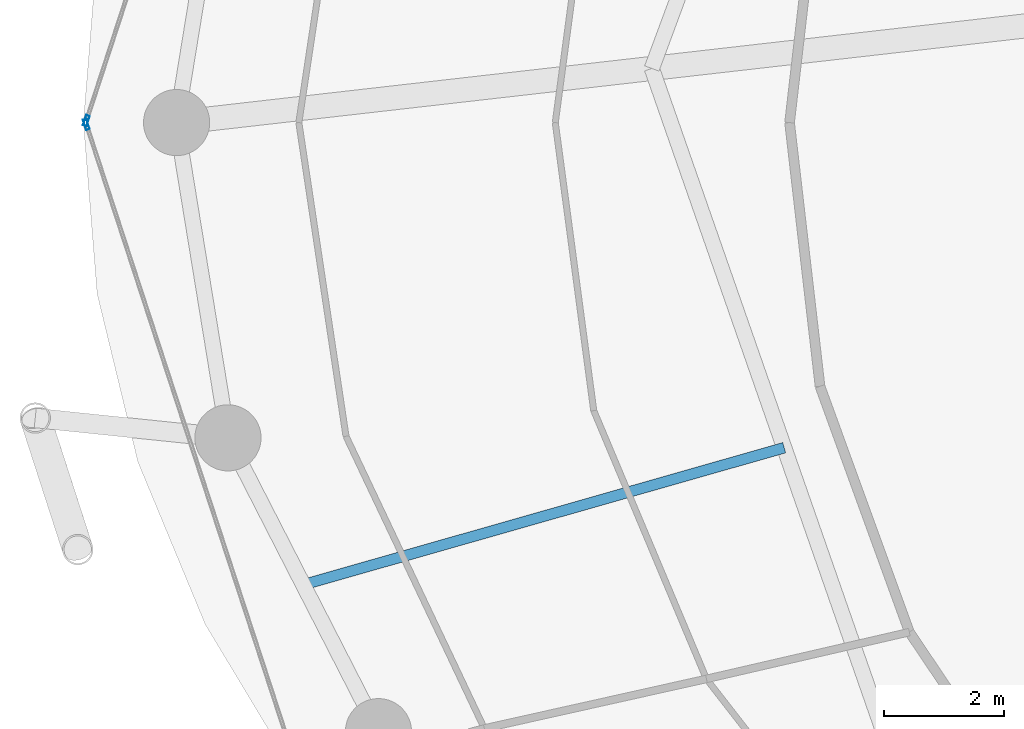
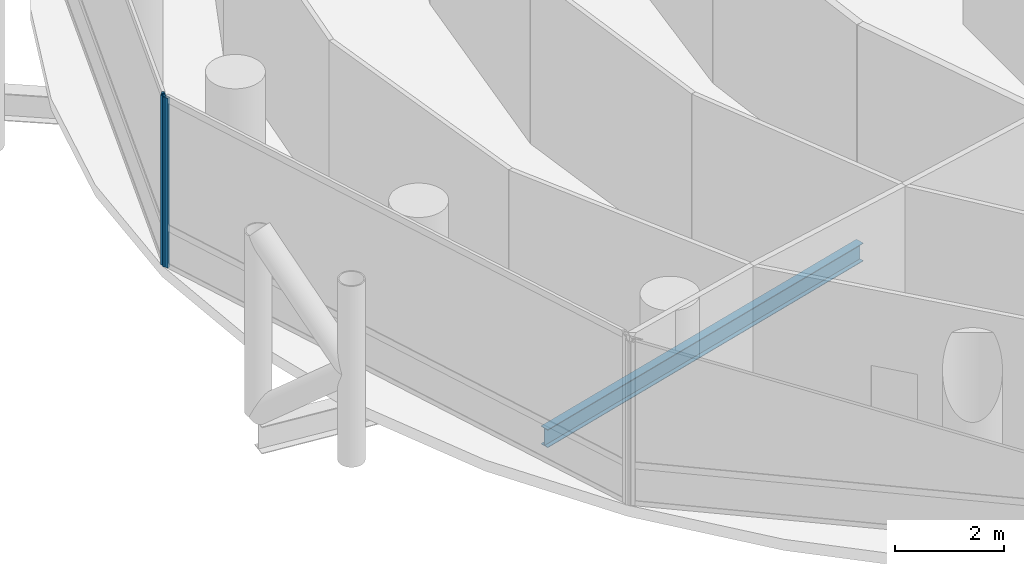
# One storey, part 6 of 26: 2 members, 1 beam, 2 elements without a shape of their own.
"""IFC4 building model written with IfcOpenShell, lengths in metres."""

from ifc_helpers import new_model, si_unit, direction, frame, origin, origin_2d, place, context, subcontext, project, spatial, hollow_rectangle, i_section, extrude, material, layer, layer_set, material_profile, profile_set, type_object, element, aggregate, save


model = new_model("IFC4")

# Units and contexts
model_context = context("Model", 3, precision=1e-05, world=origin(), true_north=direction((0.0, 1.0)))
body_context = subcontext(model_context, "Body", "Model", "MODEL_VIEW")
ifc_project = project(units=[si_unit("LENGTHUNIT", "METRE"), si_unit("AREAUNIT", "SQUARE_METRE"), si_unit("VOLUMEUNIT", "CUBIC_METRE"), si_unit("PLANEANGLEUNIT", "RADIAN"), si_unit("MASSUNIT", "GRAM", prefix="KILO")], contexts=[model_context])

# Site, building, storey
site_placement = place(None, origin())
site = spatial("IfcSite", under=ifc_project, at=site_placement, CompositionType="ELEMENT")
building_placement = place(site_placement, origin())
building = spatial("IfcBuilding", under=site, at=building_placement, Name="Nuhasar Tower", CompositionType="ELEMENT")
storey_placement = place(building_placement, frame((0.0, 0.0, 93.89990234375)))
storey = spatial("IfcBuildingStorey", under=building, at=storey_placement, Name="L22", CompositionType="ELEMENT", Elevation=93.89990234375)

# Beam
ifc_material_1 = material(Name="Steel S355", Category="steel")
ifc_material_profile_1 = material_profile(ifc_material_1, i_section(OverallWidth=0.177978515625, OverallDepth=0.406005859375, WebThickness=0.0078125, FlangeThickness=0.0126953125, at=origin_2d()), Name="W16X40")
ifc_profile_set_1 = profile_set([ifc_material_profile_1], Name="Steel S355")
beam_type = type_object("IfcBeamType", Name="BM-JST-W16X40", PredefinedType="JOIST", material=ifc_profile_set_1)
beam_placement = place(storey_placement, frame((24.051025390625, 21.39501953125, -0.452880859375), z_axis=(-0.961730884496, -0.273995813484, 0.0), x_axis=(0.273995813484, -0.961730884496, 0.0)))
element("IfcBeam", 1, at=beam_placement, inside=storey, type_object=beam_type, Name="L22 Secondary Floor Joist 08", PredefinedType="JOIST", context=body_context, shape_type="SweptSolid", body=[
    extrude(i_section(OverallWidth=0.177978515625, OverallDepth=0.406005859375, WebThickness=0.0078125, FlangeThickness=0.0126953125, at=origin_2d()), origin(), (0.0, 0.0, 1.0), 8.314208984375),
])

# Curtain wall, member
ifc_material_2 = material(Name="Aluminium 6063-T6", Category="aluminium")
ifc_layer = layer(ifc_material_2, 0.199951171875)
ifc_layer_set = layer_set([ifc_layer], Name="Aluminium 6063-T6")
curtain_wall_type = type_object("IfcCurtainWallType", Name="CW-Z1-OFF", PredefinedType="NOTDEFINED", material=ifc_layer_set)
curtain_wall_1_placement = place(storey_placement, origin())
curtain_wall_1 = element("IfcCurtainWall", 2, at=curtain_wall_1_placement, inside=storey, type_object=curtain_wall_type, Name="L22 Unitised Curtain Wall 06", PredefinedType="NOTDEFINED")
ifc_material_profile_2 = material_profile(ifc_material_2, hollow_rectangle(XDim=0.06494140625, YDim=0.179931640625, WallThickness=0.0048828125, at=origin_2d()), Name="CWM-2")
ifc_profile_set_2 = profile_set([ifc_material_profile_2], Name="Aluminium 6063-T6")
member_type = type_object("IfcMemberType", Name="CW-MUL-S2", PredefinedType="MULLION", material=ifc_profile_set_2)
member_1_placement = place(storey_placement, frame((12.4501953125, 26.830810546875, 0.0), z_axis=(0.0, 0.0, 1.0), x_axis=(0.950467534571, -0.310823849997, 0.0)))
member_1 = element("IfcMember", 3, at=member_1_placement, type_object=member_type, Name="CW-Z1 mullion 2", PredefinedType="MULLION", context=body_context, shape_type="SweptSolid", body=[
    extrude(hollow_rectangle(XDim=0.06494140625, YDim=0.179931640625, WallThickness=0.0048828125, at=origin_2d()), origin(), (0.0, 0.0, 1.0), 3.800048828125),
])
aggregate(curtain_wall_1, [member_1])

curtain_wall_2_placement = place(storey_placement, origin())
curtain_wall_2 = element("IfcCurtainWall", 4, at=curtain_wall_2_placement, inside=storey, type_object=curtain_wall_type, Name="L22 Unitised Curtain Wall 07", PredefinedType="NOTDEFINED")
member_2_placement = place(storey_placement, frame((12.4501953125, 26.76904296875, 0.0), z_axis=(0.0, 0.0, 1.0), x_axis=(0.950467534571, 0.310823849997, 0.0)))
member_2 = element("IfcMember", 5, at=member_2_placement, type_object=member_type, Name="CW-Z1 mullion 1", PredefinedType="MULLION", context=body_context, shape_type="SweptSolid", body=[
    extrude(hollow_rectangle(XDim=0.06494140625, YDim=0.179931640625, WallThickness=0.0048828125, at=origin_2d()), origin(), (0.0, 0.0, 1.0), 3.800048828125),
])
aggregate(curtain_wall_2, [member_2])

save(model, "model.ifc")
